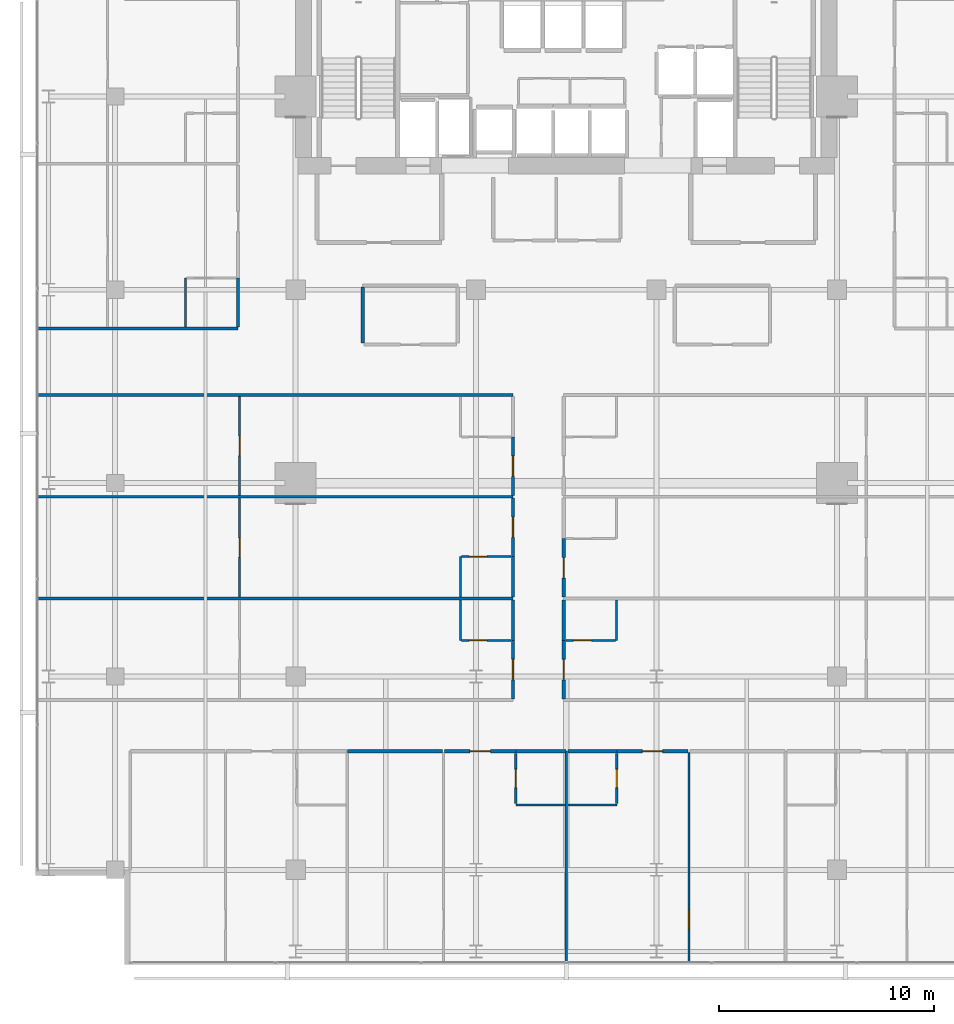
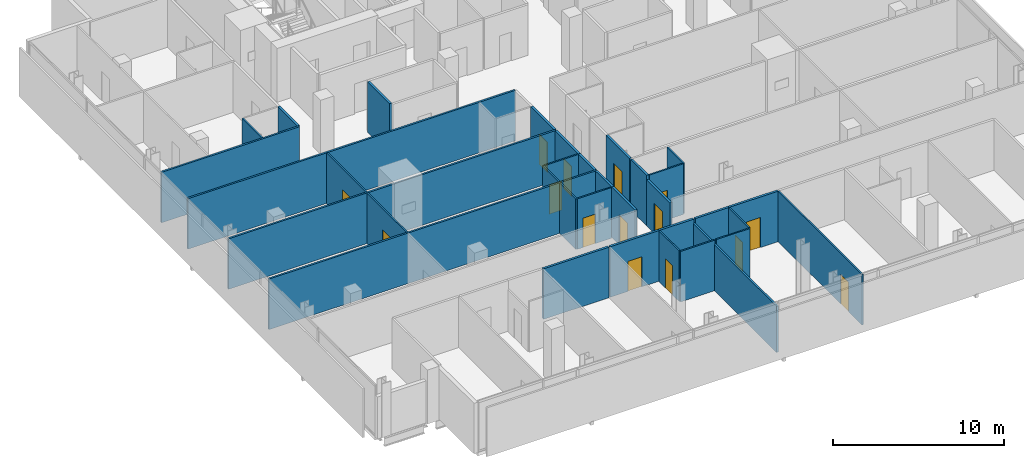
# One storey, part 27 of 34: 34 walls, 15 doors, 15 openings.
"""IFC4 building model written with IfcOpenShell, lengths in metres."""

from ifc_helpers import new_model, si_unit, direction, frame, frame_2d, origin, place, context, subcontext, project, spatial, rectangle, extrude, material, layer, layer_set, type_object, element, fill, save


model = new_model("IFC4")

# Units and contexts
model_context = context("Model", 3, precision=1e-05, world=origin(), true_north=direction((0.0, 1.0)))
body_context = subcontext(model_context, "Body", "Model", "MODEL_VIEW")
ifc_project = project(units=[si_unit("LENGTHUNIT", "METRE"), si_unit("AREAUNIT", "SQUARE_METRE"), si_unit("VOLUMEUNIT", "CUBIC_METRE"), si_unit("PLANEANGLEUNIT", "RADIAN"), si_unit("MASSUNIT", "GRAM", prefix="KILO")], contexts=[model_context])

# Site, building, storey
site_placement = place(None, origin())
site = spatial("IfcSite", under=ifc_project, at=site_placement, CompositionType="ELEMENT")
building_placement = place(site_placement, origin())
building = spatial("IfcBuilding", under=site, at=building_placement, Name="Maruvema Waterfront Hotel and Observation Tower", CompositionType="ELEMENT")
storey_placement = place(building_placement, frame((0.0, 0.0, 146.64990234375)))
storey = spatial("IfcBuildingStorey", under=building, at=storey_placement, Name="L35", CompositionType="ELEMENT", Elevation=146.64990234375)

# Walls
ifc_material_1 = material(Name="Twin-stud acoustic gypsum drywall", Category="gypsum")
ifc_layer_1 = layer(ifc_material_1, 0.14990234375, Name="Acoustic Corridor and Suite Demising Wall 150 mm")
ifc_layer_set_1 = layer_set([ifc_layer_1], Name="Twin-stud acoustic gypsum drywall")
wall_type_1 = type_object("IfcWallType", Name="Acoustic Corridor and Suite Demising Wall 150 mm", PredefinedType="PARTITIONING", material=ifc_layer_set_1)
wall_1_placement = place(storey_placement, frame((28.320068359375, 33.530029296875, 0.0), z_axis=(0.0, 0.0, 1.0), x_axis=(0.0, 1.0, 0.0)))
element("IfcWall", 1, at=wall_1_placement, inside=storey, type_object=wall_type_1, Name="L35 L35-M1 West Wall 028", PredefinedType="PARTITIONING", context=body_context, shape_type="SweptSolid", body=[
    extrude(rectangle(XDim=2.590087890625, YDim=0.14990234375, at=frame_2d((1.294921875, 0.0))), origin(), (0.0, 0.0, 1.0), 3.610107421875),
])
wall_2_placement = place(storey_placement, frame((35.449951171875, 14.52001953125, 0.0), z_axis=(0.0, 0.0, 1.0), x_axis=(1.0, 0.0, 0.0)))
element("IfcWall", 2, at=wall_2_placement, inside=storey, type_object=wall_type_1, Name="L35 Bath L35-S2 Back Wall 044", PredefinedType="PARTITIONING", context=body_context, shape_type="SweptSolid", body=[
    extrude(rectangle(XDim=2.330078125, YDim=0.14990234375, at=frame_2d((1.1650390625, 0.0))), origin(), (0.0, 0.0, 1.0), 3.610107421875),
])
wall_3_placement = place(storey_placement, frame((27.6201171875, 14.52001953125, 0.0), z_axis=(0.0, 0.0, 1.0), x_axis=(1.0, 0.0, 0.0)))
element("IfcWall", 3, at=wall_3_placement, inside=storey, type_object=wall_type_1, Name="L35 Bedroom L35-S2 Back Wall 047", PredefinedType="PARTITIONING", context=body_context, shape_type="SweptSolid", body=[
    extrude(rectangle(XDim=4.427978515625, YDim=0.14990234375, at=frame_2d((2.2138671875, 0.0))), origin(), (0.0, 0.0, 1.0), 3.610107421875),
])

# Wall, opening, door
wall_4_placement = place(storey_placement, frame((32.1279296875, 14.52001953125, 0.0), z_axis=(0.0, 0.0, 1.0), x_axis=(1.0, 0.0, 0.0)))
wall_4 = element("IfcWall", 4, at=wall_4_placement, inside=storey, type_object=wall_type_1, Name="L35 Unit L35-S2 Corridor Wall 048", PredefinedType="PARTITIONING", context=body_context, shape_type="SweptSolid", body=[
    extrude(rectangle(XDim=3.322021484375, YDim=0.14990234375, at=frame_2d((1.6611328125, 0.0))), origin(), (0.0, 0.0, 1.0), 3.610107421875),
])
opening_1_placement = place(wall_4_placement, frame((1.18603515625, 0.0, 0.0)))
opening_1 = element("IfcOpeningElement", 5, at=opening_1_placement, cuts=wall_4, Name="Opening DR-095", PredefinedType="OPENING", context=body_context, shape_type="SweptSolid", body=[
    extrude(rectangle(XDim=0.949951171875, YDim=2.14990234375, at=frame_2d((0.47509765625, 1.074951171875))), frame((0.0, 0.0849609375, 0.0), z_axis=(0.0, -1.0, 0.0), x_axis=(1.0, 0.0, 0.0)), (0.0, 0.0, 1.0), 0.169921875),
])
ifc_material_2 = material(Name="Acoustic solid-core hardwood timber leaf", Category="wood")
door_type_1 = type_object("IfcDoorType", Name="Guestroom Entrance Fire Door 950x2150 mm", OperationType="NOTDEFINED", PredefinedType="DOOR", material=ifc_material_2)
door_1_placement = place(opening_1_placement, frame((0.949951171875, 0.0, 0.0), z_axis=(0.0, 0.0, 1.0), x_axis=(-1.0, 0.0, 0.0)))
door_1 = element("IfcDoor", 6, at=door_1_placement, inside=storey, type_object=door_type_1, Name="L35 Unit L35-S2 Entrance Door", OperationType="SINGLE_SWING_RIGHT", OverallHeight=2.14990234375, OverallWidth=0.949951171875, PredefinedType="DOOR", context=body_context, shape_type="SweptSolid", body=[
    extrude(rectangle(XDim=0.949951171875, YDim=2.14990234375, at=frame_2d((0.47509765625, 1.074951171875))), frame((0.0, 0.02490234375, 0.0), z_axis=(0.0, -1.0, 0.0), x_axis=(1.0, 0.0, 0.0)), (0.0, 0.0, 1.0), 0.050048828125),
])
fill(opening_1, door_1)

# Wall
wall_5_placement = place(storey_placement, frame((37.8798828125, 14.52001953125, 0.0), z_axis=(0.0, 0.0, 1.0), x_axis=(1.0, 0.0, 0.0)))
element("IfcWall", 7, at=wall_5_placement, inside=storey, type_object=wall_type_1, Name="L35 Bath L35-S3 Back Wall 051", PredefinedType="PARTITIONING", context=body_context, shape_type="SweptSolid", body=[
    extrude(rectangle(XDim=2.27001953125, YDim=0.14990234375, at=frame_2d((1.135009765625, 0.0))), origin(), (0.0, 0.0, 1.0), 3.610107421875),
])

# Wall, opening, door
wall_6_placement = place(storey_placement, frame((40.14990234375, 14.52001953125, 0.0), z_axis=(0.0, 0.0, 1.0), x_axis=(1.0, 0.0, 0.0)))
wall_6 = element("IfcWall", 8, at=wall_6_placement, inside=storey, type_object=wall_type_1, Name="L35 Unit L35-S3 Corridor Wall 054", PredefinedType="PARTITIONING", context=body_context, shape_type="SweptSolid", body=[
    extrude(rectangle(XDim=3.322021484375, YDim=0.14990234375, at=frame_2d((1.6611328125, 0.0))), origin(), (0.0, 0.0, 1.0), 3.610107421875),
])
opening_2_placement = place(wall_6_placement, frame((1.18603515625, 0.0, 0.0)))
opening_2 = element("IfcOpeningElement", 9, at=opening_2_placement, cuts=wall_6, Name="Opening DR-095", PredefinedType="OPENING", context=body_context, shape_type="SweptSolid", body=[
    extrude(rectangle(XDim=0.949951171875, YDim=2.14990234375, at=frame_2d((0.47509765625, 1.074951171875))), frame((0.0, 0.0849609375, 0.0), z_axis=(0.0, -1.0, 0.0), x_axis=(1.0, 0.0, 0.0)), (0.0, 0.0, 1.0), 0.169921875),
])
door_2_placement = place(opening_2_placement, frame((0.949951171875, 0.0, 0.0), z_axis=(0.0, 0.0, 1.0), x_axis=(-1.0, 0.0, 0.0)))
door_2 = element("IfcDoor", 10, at=door_2_placement, inside=storey, type_object=door_type_1, Name="L35 Unit L35-S3 Entrance Door", OperationType="SINGLE_SWING_LEFT", OverallHeight=2.14990234375, OverallWidth=0.949951171875, PredefinedType="DOOR", context=body_context, shape_type="SweptSolid", body=[
    extrude(rectangle(XDim=0.949951171875, YDim=2.14990234375, at=frame_2d((0.47509765625, 1.074951171875))), frame((0.0, 0.02490234375, 0.0), z_axis=(0.0, -1.0, 0.0), x_axis=(1.0, 0.0, 0.0)), (0.0, 0.0, 1.0), 0.050048828125),
])
fill(opening_2, door_2)

wall_7_placement = place(storey_placement, frame((35.320068359375, 16.9599609375, 0.0), z_axis=(0.0, 0.0, 1.0), x_axis=(0.0, 1.0, 0.0)))
wall_7 = element("IfcWall", 11, at=wall_7_placement, inside=storey, type_object=wall_type_1, Name="L35 Room L35-W1 Corridor Wall 068", PredefinedType="PARTITIONING", context=body_context, shape_type="SweptSolid", body=[
    extrude(rectangle(XDim=2.719970703125, YDim=0.14990234375, at=frame_2d((1.35986328125, 0.0))), origin(), (0.0, 0.0, 1.0), 3.610107421875),
])
opening_3_placement = place(wall_7_placement, frame((0.885009765625, 0.0, 0.0)))
opening_3 = element("IfcOpeningElement", 12, at=opening_3_placement, cuts=wall_7, Name="Opening DR-095", PredefinedType="OPENING", context=body_context, shape_type="SweptSolid", body=[
    extrude(rectangle(XDim=0.949951171875, YDim=2.14990234375, at=frame_2d((0.47509765625, 1.074951171875))), frame((0.0, 0.0849609375, 0.0), z_axis=(0.0, -1.0, 0.0), x_axis=(1.0, 0.0, 0.0)), (0.0, 0.0, 1.0), 0.169921875),
])
door_3_placement = place(opening_3_placement, origin())
door_3 = element("IfcDoor", 13, at=door_3_placement, inside=storey, type_object=door_type_1, Name="L35 Room L35-W1 Entrance Door", OperationType="SINGLE_SWING_LEFT", OverallHeight=2.14990234375, OverallWidth=0.949951171875, PredefinedType="DOOR", context=body_context, shape_type="SweptSolid", body=[
    extrude(rectangle(XDim=0.949951171875, YDim=2.14990234375, at=frame_2d((0.47509765625, 1.074951171875))), frame((0.0, 0.02490234375, 0.0), z_axis=(0.0, -1.0, 0.0), x_axis=(1.0, 0.0, 0.0)), (0.0, 0.0, 1.0), 0.050048828125),
])
fill(opening_3, door_3)

# Wall
wall_8_placement = place(storey_placement, frame((35.320068359375, 19.679931640625, 0.0), z_axis=(0.0, 0.0, 1.0), x_axis=(0.0, 1.0, 0.0)))
element("IfcWall", 14, at=wall_8_placement, inside=storey, type_object=wall_type_1, Name="L35 Bath L35-W1 Wall 069", PredefinedType="PARTITIONING", context=body_context, shape_type="SweptSolid", body=[
    extrude(rectangle(XDim=1.89013671875, YDim=0.14990234375, at=frame_2d((0.945068359375, 0.0))), origin(), (0.0, 0.0, 1.0), 3.610107421875),
])

# Wall, opening, door
wall_9_placement = place(storey_placement, frame((37.679931640625, 16.9599609375, 0.0), z_axis=(0.0, 0.0, 1.0), x_axis=(0.0, 1.0, 0.0)))
wall_9 = element("IfcWall", 15, at=wall_9_placement, inside=storey, type_object=wall_type_1, Name="L35 Room L35-E1 Corridor Wall 073", PredefinedType="PARTITIONING", context=body_context, shape_type="SweptSolid", body=[
    extrude(rectangle(XDim=2.719970703125, YDim=0.14990234375, at=frame_2d((1.35986328125, 0.0))), origin(), (0.0, 0.0, 1.0), 3.293212890625),
])
opening_4_placement = place(wall_9_placement, frame((0.885009765625, 0.0, 0.0)))
opening_4 = element("IfcOpeningElement", 16, at=opening_4_placement, cuts=wall_9, Name="Opening DR-095", PredefinedType="OPENING", context=body_context, shape_type="SweptSolid", body=[
    extrude(rectangle(XDim=0.949951171875, YDim=2.14990234375, at=frame_2d((0.47509765625, 1.074951171875))), frame((0.0, 0.0849609375, 0.0), z_axis=(0.0, -1.0, 0.0), x_axis=(1.0, 0.0, 0.0)), (0.0, 0.0, 1.0), 0.169921875),
])
door_4_placement = place(opening_4_placement, frame((0.949951171875, 0.0, 0.0), z_axis=(0.0, 0.0, 1.0), x_axis=(-1.0, 0.0, 0.0)))
door_4 = element("IfcDoor", 17, at=door_4_placement, inside=storey, type_object=door_type_1, Name="L35 Room L35-E1 Entrance Door", OperationType="SINGLE_SWING_RIGHT", OverallHeight=2.14990234375, OverallWidth=0.949951171875, PredefinedType="DOOR", context=body_context, shape_type="SweptSolid", body=[
    extrude(rectangle(XDim=0.949951171875, YDim=2.14990234375, at=frame_2d((0.47509765625, 1.074951171875))), frame((0.0, 0.02490234375, 0.0), z_axis=(0.0, -1.0, 0.0), x_axis=(1.0, 0.0, 0.0)), (0.0, 0.0, 1.0), 0.050048828125),
])
fill(opening_4, door_4)

# Walls
for number, where, z_axis, x_axis, name in (
    (18, (37.679931640625, 19.679931640625, 0.0), (0.0, 0.0, 1.0), (0.0, 1.0, 0.0), "L35 Bath L35-E1 Wall 074"),
    (19, (35.320068359375, 21.68994140625, 0.0), (0.0, 0.0, 1.0), (0.0, 1.0, 0.0), "L35 Bath L35-W2 Wall 080"),
):
    element("IfcWall", number, at=place(storey_placement, frame(where, z_axis=z_axis, x_axis=x_axis)), inside=storey, type_object=wall_type_1, Name=name, PredefinedType="PARTITIONING", context=body_context, shape_type="SweptSolid", body=[
        extrude(rectangle(XDim=1.89013671875, YDim=0.14990234375, at=frame_2d((0.945068359375, 0.0))), origin(), (0.0, 0.0, 1.0), 3.610107421875),
    ])

# Wall, opening, door
wall_10_placement = place(storey_placement, frame((35.320068359375, 23.580078125, 0.0), z_axis=(0.0, 0.0, 1.0), x_axis=(0.0, 1.0, 0.0)))
wall_10 = element("IfcWall", 20, at=wall_10_placement, inside=storey, type_object=wall_type_1, Name="L35 Room L35-W2 Corridor Wall 081", PredefinedType="PARTITIONING", context=body_context, shape_type="SweptSolid", body=[
    extrude(rectangle(XDim=2.72998046875, YDim=0.14990234375, at=frame_2d((1.364990234375, 0.0))), origin(), (0.0, 0.0, 1.0), 3.610107421875),
])
opening_5_placement = place(wall_10_placement, frame((0.889892578125, 0.0, 0.0)))
opening_5 = element("IfcOpeningElement", 21, at=opening_5_placement, cuts=wall_10, Name="Opening DR-095", PredefinedType="OPENING", context=body_context, shape_type="SweptSolid", body=[
    extrude(rectangle(XDim=0.949951171875, YDim=2.14990234375, at=frame_2d((0.47509765625, 1.074951171875))), frame((0.0, 0.0849609375, 0.0), z_axis=(0.0, -1.0, 0.0), x_axis=(1.0, 0.0, 0.0)), (0.0, 0.0, 1.0), 0.169921875),
])
door_5_placement = place(opening_5_placement, origin())
door_5 = element("IfcDoor", 22, at=door_5_placement, inside=storey, type_object=door_type_1, Name="L35 Room L35-W2 Entrance Door", OperationType="SINGLE_SWING_LEFT", OverallHeight=2.14990234375, OverallWidth=0.949951171875, PredefinedType="DOOR", context=body_context, shape_type="SweptSolid", body=[
    extrude(rectangle(XDim=0.949951171875, YDim=2.14990234375, at=frame_2d((0.47509765625, 1.074951171875))), frame((0.0, 0.02490234375, 0.0), z_axis=(0.0, -1.0, 0.0), x_axis=(1.0, 0.0, 0.0)), (0.0, 0.0, 1.0), 0.050048828125),
])
fill(opening_5, door_5)

wall_11_placement = place(storey_placement, frame((37.679931640625, 21.68994140625, 0.0), z_axis=(0.0, 0.0, 1.0), x_axis=(0.0, 1.0, 0.0)))
wall_11 = element("IfcWall", 23, at=wall_11_placement, inside=storey, type_object=wall_type_1, Name="L35 Room L35-E2 Corridor Wall 085", PredefinedType="PARTITIONING", context=body_context, shape_type="SweptSolid", body=[
    extrude(rectangle(XDim=2.72998046875, YDim=0.14990234375, at=frame_2d((1.364990234375, 0.0))), origin(), (0.0, 0.0, 1.0), 3.610107421875),
])
opening_6_placement = place(wall_11_placement, frame((0.889892578125, 0.0, 0.0)))
opening_6 = element("IfcOpeningElement", 24, at=opening_6_placement, cuts=wall_11, Name="Opening DR-095", PredefinedType="OPENING", context=body_context, shape_type="SweptSolid", body=[
    extrude(rectangle(XDim=0.949951171875, YDim=2.14990234375, at=frame_2d((0.47509765625, 1.074951171875))), frame((0.0, 0.0849609375, 0.0), z_axis=(0.0, -1.0, 0.0), x_axis=(1.0, 0.0, 0.0)), (0.0, 0.0, 1.0), 0.169921875),
])
door_6_placement = place(opening_6_placement, frame((0.949951171875, 0.0, 0.0), z_axis=(0.0, 0.0, 1.0), x_axis=(-1.0, 0.0, 0.0)))
door_6 = element("IfcDoor", 25, at=door_6_placement, inside=storey, type_object=door_type_1, Name="L35 Room L35-E2 Entrance Door", OperationType="SINGLE_SWING_RIGHT", OverallHeight=2.14990234375, OverallWidth=0.949951171875, PredefinedType="DOOR", context=body_context, shape_type="SweptSolid", body=[
    extrude(rectangle(XDim=0.949951171875, YDim=2.14990234375, at=frame_2d((0.47509765625, 1.074951171875))), frame((0.0, 0.02490234375, 0.0), z_axis=(0.0, -1.0, 0.0), x_axis=(1.0, 0.0, 0.0)), (0.0, 0.0, 1.0), 0.050048828125),
])
fill(opening_6, door_6)

wall_12_placement = place(storey_placement, frame((35.320068359375, 26.429931640625, 0.0), z_axis=(0.0, 0.0, 1.0), x_axis=(0.0, 1.0, 0.0)))
wall_12 = element("IfcWall", 26, at=wall_12_placement, inside=storey, type_object=wall_type_1, Name="L35 Room L35-W3 Corridor Wall 092", PredefinedType="PARTITIONING", context=body_context, shape_type="SweptSolid", body=[
    extrude(rectangle(XDim=2.719970703125, YDim=0.14990234375, at=frame_2d((1.35986328125, 0.0))), origin(), (0.0, 0.0, 1.0), 3.610107421875),
])
opening_7_placement = place(wall_12_placement, frame((0.885009765625, 0.0, 0.0)))
opening_7 = element("IfcOpeningElement", 27, at=opening_7_placement, cuts=wall_12, Name="Opening DR-095", PredefinedType="OPENING", context=body_context, shape_type="SweptSolid", body=[
    extrude(rectangle(XDim=0.949951171875, YDim=2.14990234375, at=frame_2d((0.47509765625, 1.074951171875))), frame((0.0, 0.0849609375, 0.0), z_axis=(0.0, -1.0, 0.0), x_axis=(1.0, 0.0, 0.0)), (0.0, 0.0, 1.0), 0.169921875),
])
door_7_placement = place(opening_7_placement, origin())
door_7 = element("IfcDoor", 28, at=door_7_placement, inside=storey, type_object=door_type_1, Name="L35 Room L35-W3 Entrance Door", OperationType="SINGLE_SWING_LEFT", OverallHeight=2.14990234375, OverallWidth=0.949951171875, PredefinedType="DOOR", context=body_context, shape_type="SweptSolid", body=[
    extrude(rectangle(XDim=0.949951171875, YDim=2.14990234375, at=frame_2d((0.47509765625, 1.074951171875))), frame((0.0, 0.02490234375, 0.0), z_axis=(0.0, -1.0, 0.0), x_axis=(1.0, 0.0, 0.0)), (0.0, 0.0, 1.0), 0.050048828125),
])
fill(opening_7, door_7)

# Walls
wall_13_placement = place(storey_placement, frame((22.52001953125, 34.260009765625, 0.0), z_axis=(0.0, 0.0, 1.0), x_axis=(0.0, 1.0, 0.0)))
element("IfcWall", 29, at=wall_13_placement, inside=storey, type_object=wall_type_1, Name="L35 Bath L35-NW1 Wall 106", PredefinedType="PARTITIONING", context=body_context, shape_type="SweptSolid", body=[
    extrude(rectangle(XDim=2.2900390625, YDim=0.14990234375, at=frame_2d((1.14501953125, 0.0))), origin(), (0.0, 0.0, 1.0), 3.610107421875),
])
ifc_material_3 = material(Name="Moisture-resistant cement-board drywall", Category="gypsum")
ifc_layer_2 = layer(ifc_material_3, 0.10009765625, Name="En-Suite Moisture-Resistant Partition 100 mm")
ifc_layer_set_2 = layer_set([ifc_layer_2], Name="Moisture-resistant cement-board drywall")
wall_type_2 = type_object("IfcWallType", Name="En-Suite Moisture-Resistant Partition 100 mm", PredefinedType="PARTITIONING", material=ifc_layer_set_2)
wall_14_placement = place(storey_placement, frame((35.449951171875, 12.02001953125, 0.0), z_axis=(0.0, 0.0, 1.0), x_axis=(1.0, 0.0, 0.0)))
element("IfcWall", 30, at=wall_14_placement, inside=storey, type_object=wall_type_2, Name="L35 En-Suite L35-S2 South 045", PredefinedType="PARTITIONING", context=body_context, shape_type="SweptSolid", body=[
    extrude(rectangle(XDim=2.31005859375, YDim=0.10009765625, at=frame_2d((1.155029296875, 0.0))), origin(), (0.0, 0.0, 1.0), 3.610107421875),
])

# Wall, opening, door
wall_15_placement = place(storey_placement, frame((35.449951171875, 12.080078125, 0.0), z_axis=(0.0, 0.0, 1.0), x_axis=(0.0, 1.0, 0.0)))
wall_15 = element("IfcWall", 31, at=wall_15_placement, inside=storey, type_object=wall_type_2, Name="L35 En-Suite L35-S2 West 046", PredefinedType="PARTITIONING", context=body_context, shape_type="SweptSolid", body=[
    extrude(rectangle(XDim=2.33984375, YDim=0.10009765625, at=frame_2d((1.169921875, 0.0))), origin(), (0.0, 0.0, 1.0), 3.610107421875),
])
opening_8_placement = place(wall_15_placement, frame((0.7451171875, 0.0, 0.0)))
opening_8 = element("IfcOpeningElement", 32, at=opening_8_placement, cuts=wall_15, Name="Opening DR-085", PredefinedType="OPENING", context=body_context, shape_type="SweptSolid", body=[
    extrude(rectangle(XDim=0.85009765625, YDim=2.10009765625, at=frame_2d((0.425048828125, 1.050048828125))), frame((0.0, 0.06005859375, 0.0), z_axis=(0.0, -1.0, 0.0), x_axis=(1.0, 0.0, 0.0)), (0.0, 0.0, 1.0), 0.1201171875),
])
ifc_material_4 = material(Name="Moisture-resistant solid timber leaf", Category="wood")
door_type_2 = type_object("IfcDoorType", Name="En-Suite Bathroom Door 850x2100 mm", OperationType="NOTDEFINED", PredefinedType="DOOR", material=ifc_material_4)
door_8_placement = place(opening_8_placement, origin())
door_8 = element("IfcDoor", 33, at=door_8_placement, inside=storey, type_object=door_type_2, Name="L35 En-Suite L35-S2 Door", OperationType="SINGLE_SWING_LEFT", OverallHeight=2.10009765625, OverallWidth=0.85009765625, PredefinedType="DOOR", context=body_context, shape_type="SweptSolid", body=[
    extrude(rectangle(XDim=0.85009765625, YDim=2.10009765625, at=frame_2d((0.425048828125, 1.050048828125))), frame((0.0, 0.02490234375, 0.0), z_axis=(0.0, -1.0, 0.0), x_axis=(1.0, 0.0, 0.0)), (0.0, 0.0, 1.0), 0.050048828125),
])
fill(opening_8, door_8)

# Wall
wall_16_placement = place(storey_placement, frame((37.8798828125, 12.02001953125, 0.0), z_axis=(0.0, 0.0, 1.0), x_axis=(1.0, 0.0, 0.0)))
element("IfcWall", 34, at=wall_16_placement, inside=storey, type_object=wall_type_2, Name="L35 En-Suite L35-S3 South 052", PredefinedType="PARTITIONING", context=body_context, shape_type="SweptSolid", body=[
    extrude(rectangle(XDim=2.27001953125, YDim=0.10009765625, at=frame_2d((1.135009765625, 0.0))), origin(), (0.0, 0.0, 1.0), 3.610107421875),
])

# Wall, opening, door
wall_17_placement = place(storey_placement, frame((40.14990234375, 12.080078125, 0.0), z_axis=(0.0, 0.0, 1.0), x_axis=(0.0, 1.0, 0.0)))
wall_17 = element("IfcWall", 35, at=wall_17_placement, inside=storey, type_object=wall_type_2, Name="L35 En-Suite L35-S3 East 053", PredefinedType="PARTITIONING", context=body_context, shape_type="SweptSolid", body=[
    extrude(rectangle(XDim=2.33984375, YDim=0.10009765625, at=frame_2d((1.169921875, 0.0))), origin(), (0.0, 0.0, 1.0), 3.610107421875),
])
opening_9_placement = place(wall_17_placement, frame((0.7451171875, 0.0, 0.0)))
opening_9 = element("IfcOpeningElement", 36, at=opening_9_placement, cuts=wall_17, Name="Opening DR-085", PredefinedType="OPENING", context=body_context, shape_type="SweptSolid", body=[
    extrude(rectangle(XDim=0.85009765625, YDim=2.10009765625, at=frame_2d((0.425048828125, 1.050048828125))), frame((0.0, 0.06005859375, 0.0), z_axis=(0.0, -1.0, 0.0), x_axis=(1.0, 0.0, 0.0)), (0.0, 0.0, 1.0), 0.1201171875),
])
door_9_placement = place(opening_9_placement, frame((0.85009765625, 0.0, 0.0), z_axis=(0.0, 0.0, 1.0), x_axis=(-1.0, 0.0, 0.0)))
door_9 = element("IfcDoor", 37, at=door_9_placement, inside=storey, type_object=door_type_2, Name="L35 En-Suite L35-S3 Door", OperationType="SINGLE_SWING_RIGHT", OverallHeight=2.10009765625, OverallWidth=0.85009765625, PredefinedType="DOOR", context=body_context, shape_type="SweptSolid", body=[
    extrude(rectangle(XDim=0.85009765625, YDim=2.10009765625, at=frame_2d((0.425048828125, 1.050048828125))), frame((0.0, 0.02490234375, 0.0), z_axis=(0.0, -1.0, 0.0), x_axis=(1.0, 0.0, 0.0)), (0.0, 0.0, 1.0), 0.050048828125),
])
fill(opening_9, door_9)

wall_18_placement = place(storey_placement, frame((43.511962890625, 4.6298828125, 0.0), z_axis=(0.0, 0.0, 1.0), x_axis=(0.0, 1.0, 0.0)))
wall_18 = element("IfcWall", 38, at=wall_18_placement, inside=storey, type_object=wall_type_2, Name="L35 Suite L35-S3 Split 056", PredefinedType="PARTITIONING", context=body_context, shape_type="SweptSolid", body=[
    extrude(rectangle(XDim=9.830078125, YDim=0.10009765625, at=frame_2d((4.9150390625, 0.0))), origin(), (0.0, 0.0, 1.0), 3.610107421875),
])
opening_10_placement = place(wall_18_placement, frame((1.60009765625, 0.0, 0.0)))
opening_10 = element("IfcOpeningElement", 39, at=opening_10_placement, cuts=wall_18, Name="Opening DR-090", PredefinedType="OPENING", context=body_context, shape_type="SweptSolid", body=[
    extrude(rectangle(XDim=0.89990234375, YDim=2.10009765625, at=frame_2d((0.449951171875, 1.050048828125))), frame((0.0, 0.06005859375, 0.0), z_axis=(0.0, -1.0, 0.0), x_axis=(1.0, 0.0, 0.0)), (0.0, 0.0, 1.0), 0.1201171875),
])
ifc_material_5 = material(Name="Solid-core lacquered timber leaf", Category="wood")
door_type_3 = type_object("IfcDoorType", Name="Accessible Toilet and Room Door 900x2100 mm", OperationType="NOTDEFINED", PredefinedType="DOOR", material=ifc_material_5)
door_10_placement = place(opening_10_placement, origin())
door_10 = element("IfcDoor", 40, at=door_10_placement, inside=storey, type_object=door_type_3, Name="L35 Suite L35-S3 Bedroom Door", OperationType="SINGLE_SWING_RIGHT", OverallHeight=2.10009765625, OverallWidth=0.89990234375, PredefinedType="DOOR", context=body_context, shape_type="SweptSolid", body=[
    extrude(rectangle(XDim=0.89990234375, YDim=2.10009765625, at=frame_2d((0.449951171875, 1.050048828125))), frame((0.0, 0.02490234375, 0.0), z_axis=(0.0, -1.0, 0.0), x_axis=(1.0, 0.0, 0.0)), (0.0, 0.0, 1.0), 0.050048828125),
])
fill(opening_10, door_10)

# Wall
wall_19_placement = place(storey_placement, frame((32.8701171875, 19.679931640625, 0.0), z_axis=(0.0, 0.0, 1.0), x_axis=(0.0, 1.0, 0.0)))
element("IfcWall", 41, at=wall_19_placement, inside=storey, type_object=wall_type_2, Name="L35 En-Suite L35-W1 W 070", PredefinedType="PARTITIONING", context=body_context, shape_type="SweptSolid", body=[
    extrude(rectangle(XDim=1.89013671875, YDim=0.10009765625, at=frame_2d((0.945068359375, 0.0))), origin(), (0.0, 0.0, 1.0), 3.610107421875),
])

# Wall, opening, door
wall_20_placement = place(storey_placement, frame((32.919921875, 19.679931640625, 0.0), z_axis=(0.0, 0.0, 1.0), x_axis=(1.0, 0.0, 0.0)))
wall_20 = element("IfcWall", 42, at=wall_20_placement, inside=storey, type_object=wall_type_2, Name="L35 En-Suite L35-W1 S 071", PredefinedType="PARTITIONING", context=body_context, shape_type="SweptSolid", body=[
    extrude(rectangle(XDim=2.300048828125, YDim=0.10009765625, at=frame_2d((1.14990234375, 0.0))), origin(), (0.0, 0.0, 1.0), 3.610107421875),
])
opening_11_placement = place(wall_20_placement, frame((0.35009765625, 0.0, 0.0)))
opening_11 = element("IfcOpeningElement", 43, at=opening_11_placement, cuts=wall_20, Name="Opening DR-085", PredefinedType="OPENING", context=body_context, shape_type="SweptSolid", body=[
    extrude(rectangle(XDim=0.85009765625, YDim=2.10009765625, at=frame_2d((0.425048828125, 1.050048828125))), frame((0.0, 0.06005859375, 0.0), z_axis=(0.0, -1.0, 0.0), x_axis=(1.0, 0.0, 0.0)), (0.0, 0.0, 1.0), 0.1201171875),
])
door_11_placement = place(opening_11_placement, frame((0.85009765625, 0.0, 0.0), z_axis=(0.0, 0.0, 1.0), x_axis=(-1.0, 0.0, 0.0)))
door_11 = element("IfcDoor", 44, at=door_11_placement, inside=storey, type_object=door_type_2, Name="L35 En-Suite L35-W1 Door", OperationType="SINGLE_SWING_RIGHT", OverallHeight=2.10009765625, OverallWidth=0.85009765625, PredefinedType="DOOR", context=body_context, shape_type="SweptSolid", body=[
    extrude(rectangle(XDim=0.85009765625, YDim=2.10009765625, at=frame_2d((0.425048828125, 1.050048828125))), frame((0.0, 0.02490234375, 0.0), z_axis=(0.0, -1.0, 0.0), x_axis=(1.0, 0.0, 0.0)), (0.0, 0.0, 1.0), 0.050048828125),
])
fill(opening_11, door_11)

# Wall
wall_21_placement = place(storey_placement, frame((40.1298828125, 19.679931640625, 0.0), z_axis=(0.0, 0.0, 1.0), x_axis=(0.0, 1.0, 0.0)))
element("IfcWall", 45, at=wall_21_placement, inside=storey, type_object=wall_type_2, Name="L35 En-Suite L35-E1 E 075", PredefinedType="PARTITIONING", context=body_context, shape_type="SweptSolid", body=[
    extrude(rectangle(XDim=1.89013671875, YDim=0.10009765625, at=frame_2d((0.945068359375, 0.0))), origin(), (0.0, 0.0, 1.0), 3.610107421875),
])

# Wall, opening, door
wall_22_placement = place(storey_placement, frame((37.780029296875, 19.679931640625, 0.0), z_axis=(0.0, 0.0, 1.0), x_axis=(1.0, 0.0, 0.0)))
wall_22 = element("IfcWall", 46, at=wall_22_placement, inside=storey, type_object=wall_type_2, Name="L35 En-Suite L35-E1 S 076", PredefinedType="PARTITIONING", context=body_context, shape_type="SweptSolid", body=[
    extrude(rectangle(XDim=2.300048828125, YDim=0.10009765625, at=frame_2d((1.14990234375, 0.0))), origin(), (0.0, 0.0, 1.0), 3.610107421875),
])
opening_12_placement = place(wall_22_placement, frame((0.35009765625, 0.0, 0.0)))
opening_12 = element("IfcOpeningElement", 47, at=opening_12_placement, cuts=wall_22, Name="Opening DR-085", PredefinedType="OPENING", context=body_context, shape_type="SweptSolid", body=[
    extrude(rectangle(XDim=0.85009765625, YDim=2.10009765625, at=frame_2d((0.425048828125, 1.050048828125))), frame((0.0, 0.06005859375, 0.0), z_axis=(0.0, -1.0, 0.0), x_axis=(1.0, 0.0, 0.0)), (0.0, 0.0, 1.0), 0.1201171875),
])
door_12_placement = place(opening_12_placement, frame((0.85009765625, 0.0, 0.0), z_axis=(0.0, 0.0, 1.0), x_axis=(-1.0, 0.0, 0.0)))
door_12 = element("IfcDoor", 48, at=door_12_placement, inside=storey, type_object=door_type_2, Name="L35 En-Suite L35-E1 Door", OperationType="SINGLE_SWING_LEFT", OverallHeight=2.10009765625, OverallWidth=0.85009765625, PredefinedType="DOOR", context=body_context, shape_type="SweptSolid", body=[
    extrude(rectangle(XDim=0.85009765625, YDim=2.10009765625, at=frame_2d((0.425048828125, 1.050048828125))), frame((0.0, 0.02490234375, 0.0), z_axis=(0.0, -1.0, 0.0), x_axis=(1.0, 0.0, 0.0)), (0.0, 0.0, 1.0), 0.050048828125),
])
fill(opening_12, door_12)

# Wall
wall_23_placement = place(storey_placement, frame((32.8701171875, 21.68994140625, 0.0), z_axis=(0.0, 0.0, 1.0), x_axis=(0.0, 1.0, 0.0)))
element("IfcWall", 49, at=wall_23_placement, inside=storey, type_object=wall_type_2, Name="L35 En-Suite L35-W2 W 082", PredefinedType="PARTITIONING", context=body_context, shape_type="SweptSolid", body=[
    extrude(rectangle(XDim=1.89013671875, YDim=0.10009765625, at=frame_2d((0.945068359375, 0.0))), origin(), (0.0, 0.0, 1.0), 3.610107421875),
])

# Wall, opening, door
wall_24_placement = place(storey_placement, frame((32.919921875, 23.580078125, 0.0), z_axis=(0.0, 0.0, 1.0), x_axis=(1.0, 0.0, 0.0)))
wall_24 = element("IfcWall", 50, at=wall_24_placement, inside=storey, type_object=wall_type_2, Name="L35 En-Suite L35-W2 N 083", PredefinedType="PARTITIONING", context=body_context, shape_type="SweptSolid", body=[
    extrude(rectangle(XDim=2.300048828125, YDim=0.10009765625, at=frame_2d((1.14990234375, 0.0))), origin(), (0.0, 0.0, 1.0), 3.610107421875),
])
opening_13_placement = place(wall_24_placement, frame((0.35009765625, 0.0, 0.0)))
opening_13 = element("IfcOpeningElement", 51, at=opening_13_placement, cuts=wall_24, Name="Opening DR-085", PredefinedType="OPENING", context=body_context, shape_type="SweptSolid", body=[
    extrude(rectangle(XDim=0.85009765625, YDim=2.10009765625, at=frame_2d((0.425048828125, 1.050048828125))), frame((0.0, 0.06005859375, 0.0), z_axis=(0.0, -1.0, 0.0), x_axis=(1.0, 0.0, 0.0)), (0.0, 0.0, 1.0), 0.1201171875),
])
door_13_placement = place(opening_13_placement, origin())
door_13 = element("IfcDoor", 52, at=door_13_placement, inside=storey, type_object=door_type_2, Name="L35 En-Suite L35-W2 Door", OperationType="SINGLE_SWING_RIGHT", OverallHeight=2.10009765625, OverallWidth=0.85009765625, PredefinedType="DOOR", context=body_context, shape_type="SweptSolid", body=[
    extrude(rectangle(XDim=0.85009765625, YDim=2.10009765625, at=frame_2d((0.425048828125, 1.050048828125))), frame((0.0, 0.02490234375, 0.0), z_axis=(0.0, -1.0, 0.0), x_axis=(1.0, 0.0, 0.0)), (0.0, 0.0, 1.0), 0.050048828125),
])
fill(opening_13, door_13)

wall_25_placement = place(storey_placement, frame((22.589599609375, 21.68994140625, 0.0), z_axis=(0.0, 0.0, 1.0), x_axis=(0.0, 1.0, 0.0)))
wall_25 = element("IfcWall", 53, at=wall_25_placement, inside=storey, type_object=wall_type_2, Name="L35 Suite L35-W2 Split 084", PredefinedType="PARTITIONING", context=body_context, shape_type="SweptSolid", body=[
    extrude(rectangle(XDim=4.6201171875, YDim=0.10009765625, at=frame_2d((2.31005859375, 0.0))), origin(), (0.0, 0.0, 1.0), 3.610107421875),
])
opening_14_placement = place(wall_25_placement, frame((1.860107421875, 0.0, 0.0)))
opening_14 = element("IfcOpeningElement", 54, at=opening_14_placement, cuts=wall_25, Name="Opening DR-090", PredefinedType="OPENING", context=body_context, shape_type="SweptSolid", body=[
    extrude(rectangle(XDim=0.89990234375, YDim=2.10009765625, at=frame_2d((0.449951171875, 1.050048828125))), frame((0.0, 0.06005859375, 0.0), z_axis=(0.0, -1.0, 0.0), x_axis=(1.0, 0.0, 0.0)), (0.0, 0.0, 1.0), 0.1201171875),
])
door_14_placement = place(opening_14_placement, origin())
door_14 = element("IfcDoor", 55, at=door_14_placement, inside=storey, type_object=door_type_3, Name="L35 Suite L35-W2 Bedroom Door", OperationType="SINGLE_SWING_RIGHT", OverallHeight=2.10009765625, OverallWidth=0.89990234375, PredefinedType="DOOR", context=body_context, shape_type="SweptSolid", body=[
    extrude(rectangle(XDim=0.89990234375, YDim=2.10009765625, at=frame_2d((0.449951171875, 1.050048828125))), frame((0.0, 0.02490234375, 0.0), z_axis=(0.0, -1.0, 0.0), x_axis=(1.0, 0.0, 0.0)), (0.0, 0.0, 1.0), 0.050048828125),
])
fill(opening_14, door_14)

wall_26_placement = place(storey_placement, frame((22.589599609375, 26.429931640625, 0.0), z_axis=(0.0, 0.0, 1.0), x_axis=(0.0, 1.0, 0.0)))
wall_26 = element("IfcWall", 56, at=wall_26_placement, inside=storey, type_object=wall_type_2, Name="L35 Suite L35-W3 Split 096", PredefinedType="PARTITIONING", context=body_context, shape_type="SweptSolid", body=[
    extrude(rectangle(XDim=4.610107421875, YDim=0.10009765625, at=frame_2d((2.30517578125, 0.0))), origin(), (0.0, 0.0, 1.0), 3.610107421875),
])
opening_15_placement = place(wall_26_placement, frame((1.85498046875, 0.0, 0.0)))
opening_15 = element("IfcOpeningElement", 57, at=opening_15_placement, cuts=wall_26, Name="Opening DR-090", PredefinedType="OPENING", context=body_context, shape_type="SweptSolid", body=[
    extrude(rectangle(XDim=0.89990234375, YDim=2.10009765625, at=frame_2d((0.449951171875, 1.050048828125))), frame((0.0, 0.06005859375, 0.0), z_axis=(0.0, -1.0, 0.0), x_axis=(1.0, 0.0, 0.0)), (0.0, 0.0, 1.0), 0.1201171875),
])
door_15_placement = place(opening_15_placement, origin())
door_15 = element("IfcDoor", 58, at=door_15_placement, inside=storey, type_object=door_type_3, Name="L35 Suite L35-W3 Bedroom Door", OperationType="SINGLE_SWING_RIGHT", OverallHeight=2.10009765625, OverallWidth=0.89990234375, PredefinedType="DOOR", context=body_context, shape_type="SweptSolid", body=[
    extrude(rectangle(XDim=0.89990234375, YDim=2.10009765625, at=frame_2d((0.449951171875, 1.050048828125))), frame((0.0, 0.02490234375, 0.0), z_axis=(0.0, -1.0, 0.0), x_axis=(1.0, 0.0, 0.0)), (0.0, 0.0, 1.0), 0.050048828125),
])
fill(opening_15, door_15)

# Walls
wall_27_placement = place(storey_placement, frame((20.070068359375, 34.260009765625, 0.0), z_axis=(0.0, 0.0, 1.0), x_axis=(0.0, 1.0, 0.0)))
element("IfcWall", 59, at=wall_27_placement, inside=storey, type_object=wall_type_2, Name="L35 En-Suite L35-NW1 W 108", PredefinedType="PARTITIONING", context=body_context, shape_type="SweptSolid", body=[
    extrude(rectangle(XDim=2.2900390625, YDim=0.10009765625, at=frame_2d((1.14501953125, 0.0))), origin(), (0.0, 0.0, 1.0), 3.610107421875),
])
ifc_material_6 = material(Name="Acoustic gypsum plasterboard drywall", Category="gypsum")
ifc_layer_3 = layer(ifc_material_6, 0.125, Name="Guestroom Acoustic Demising Wall 125 mm")
ifc_layer_set_3 = layer_set([ifc_layer_3], Name="Acoustic gypsum plasterboard drywall")
wall_type_3 = type_object("IfcWallType", Name="Guestroom Acoustic Demising Wall 125 mm", PredefinedType="PARTITIONING", material=ifc_layer_set_3)
wall_28_placement = place(storey_placement, frame((37.800048828125, 4.699951171875, 0.0), z_axis=(0.0, 0.0, 1.0), x_axis=(0.0, 1.0, 0.0)))
element("IfcWall", 60, at=wall_28_placement, inside=storey, type_object=wall_type_3, Name="L35 Z2 S Demising 3 050", PredefinedType="PARTITIONING", context=body_context, shape_type="SweptSolid", body=[
    extrude(rectangle(XDim=9.820068359375, YDim=0.125, at=frame_2d((4.91015625, 0.0))), origin(), (0.0, 0.0, 1.0), 3.293212890625),
])
for number, where, z_axis, x_axis, name in (
    (61, (13.199951171875, 31.10009765625, 0.0), (0.0, 0.0, 1.0), (1.0, 0.0, 0.0), "L35 Z2 W Top End 066"),
    (62, (13.199951171875, 21.6298828125, 0.0), (0.0, 0.0, 1.0), (1.0, 0.0, 0.0), "L35 Z2 W Demising 2 078"),
    (63, (13.199951171875, 26.3701171875, 0.0), (0.0, 0.0, 1.0), (1.0, 0.0, 0.0), "L35 Z2 W Demising 3 090"),
):
    element("IfcWall", number, at=place(storey_placement, frame(where, z_axis=z_axis, x_axis=x_axis)), inside=storey, type_object=wall_type_3, Name=name, PredefinedType="PARTITIONING", context=body_context, shape_type="SweptSolid", body=[
        extrude(rectangle(XDim=22.1201171875, YDim=0.125, at=frame_2d((11.06005859375, 0.0))), origin(), (0.0, 0.0, 1.0), 3.610107421875),
    ])
wall_29_placement = place(storey_placement, frame((13.199951171875, 34.199951171875, 0.0), z_axis=(0.0, 0.0, 1.0), x_axis=(1.0, 0.0, 0.0)))
element("IfcWall", 64, at=wall_29_placement, inside=storey, type_object=wall_type_3, Name="L35 Z2 NW Bot End 102", PredefinedType="PARTITIONING", context=body_context, shape_type="SweptSolid", body=[
    extrude(rectangle(XDim=9.320068359375, YDim=0.125, at=frame_2d((4.66015625, 0.0))), origin(), (0.0, 0.0, 1.0), 3.610107421875),
])

save(model, "model.ifc")
